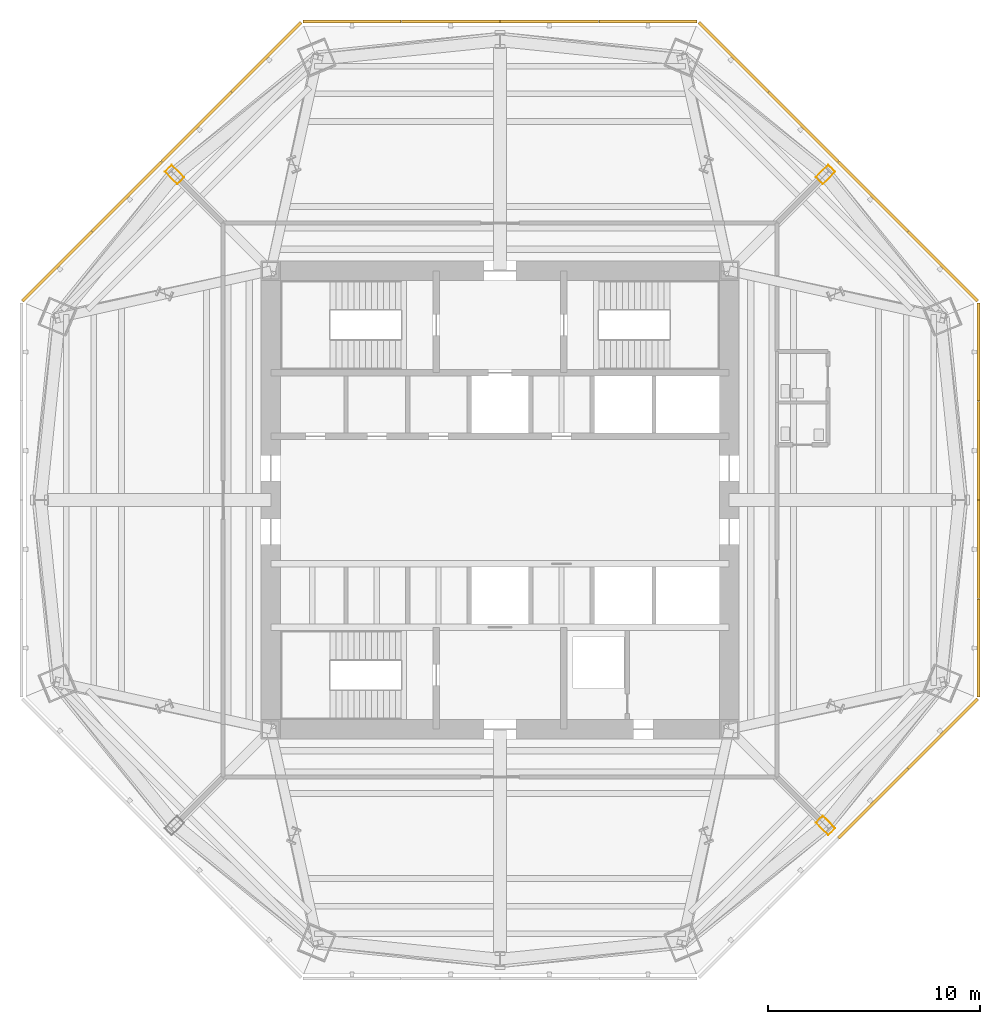
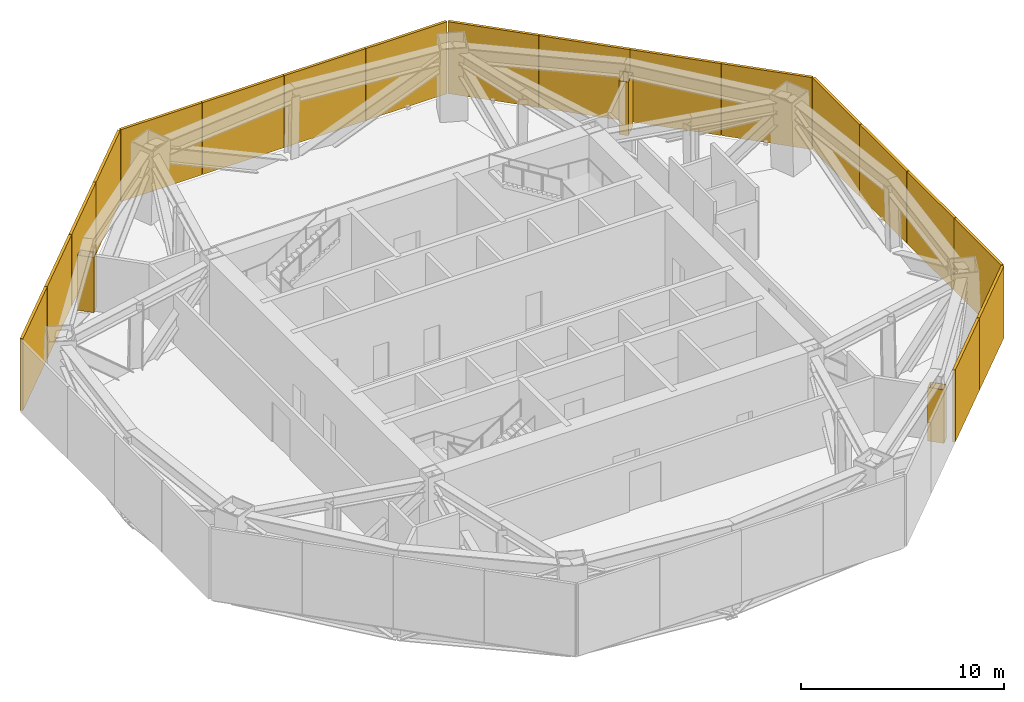
# One storey, part 9 of 10: 18 shading devices, 3 coverings.
"""IFC4 building model written with IfcOpenShell, lengths in metres."""

from ifc_helpers import new_model, si_unit, direction, frame, origin, origin_2d, place, context, subcontext, project, spatial, polyline, rectangle, outline, extrude, source, transform, mapped, material, layer, layer_set, type_object, type_shapes, element, save


model = new_model("IFC4")

# Units and contexts
model_context = context("Model", 3, precision=1e-05, world=origin(), true_north=direction((0.0, 1.0)))
body_context = subcontext(model_context, "Body", "Model", "MODEL_VIEW")
ifc_project = project(units=[si_unit("LENGTHUNIT", "METRE"), si_unit("AREAUNIT", "SQUARE_METRE"), si_unit("VOLUMEUNIT", "CUBIC_METRE"), si_unit("PLANEANGLEUNIT", "RADIAN"), si_unit("MASSUNIT", "GRAM", prefix="KILO")], contexts=[model_context])

# Site, building, storey
site_placement = place(None, origin())
site = spatial("IfcSite", under=ifc_project, at=site_placement, CompositionType="ELEMENT")
building_placement = place(site_placement, origin())
building = spatial("IfcBuilding", under=site, at=building_placement, Name="Mashrafa Tower", CompositionType="ELEMENT")
storey_placement = place(building_placement, frame((0.0, 0.0, 193.5)))
storey = spatial("IfcBuildingStorey", under=building, at=storey_placement, Name="L44", CompositionType="ELEMENT", Elevation=193.5)

# Coverings
ifc_material_1 = material(Name="Gypsum board")
ifc_layer_1 = layer(ifc_material_1, 0.014892578125)
ifc_layer_set_1 = layer_set([ifc_layer_1], Name="Column casing plasterboard 15")
covering_type = type_object("IfcCoveringType", Name="Column casing plasterboard 15", PredefinedType="CLADDING", material=ifc_layer_set_1)
covering_1_placement = place(storey_placement, origin())
element("IfcCovering", 1, at=covering_1_placement, inside=storey, type_object=covering_type, Name="Column casing L44-001", PredefinedType="CLADDING", context=body_context, shape_type="SweptSolid", body=[
    extrude(outline(polyline([(14.869140625, 15.20849609375), (15.461669921875, 15.801025390625), (15.801025390625, 15.461669921875), (15.20849609375, 14.869140625), (14.869140625, 15.20849609375)]), holes=[polyline([(15.77978515625, 15.461669921875), (15.461669921875, 15.77978515625), (14.890380859375, 15.20849609375), (15.20849609375, 14.890380859375), (15.77978515625, 15.461669921875)])]), origin(), (0.0, 0.0, 1.0), 3.22900390625),
])
covering_2_placement = place(storey_placement, origin())
element("IfcCovering", 2, at=covering_2_placement, inside=storey, type_object=covering_type, Name="Column casing L44-002", PredefinedType="CLADDING", context=body_context, shape_type="SweptSolid", body=[
    extrude(outline(polyline([(-15.801025390625, 15.461669921875), (-15.461669921875, 15.801025390625), (-14.869140625, 15.20849609375), (-15.20849609375, 14.869140625), (-15.801025390625, 15.461669921875)]), holes=[polyline([(-14.890380859375, 15.20849609375), (-15.461669921875, 15.77978515625), (-15.77978515625, 15.461669921875), (-15.20849609375, 14.890380859375), (-14.890380859375, 15.20849609375)])]), origin(), (0.0, 0.0, 1.0), 3.31298828125),
])
covering_3_placement = place(storey_placement, origin())
element("IfcCovering", 3, at=covering_3_placement, inside=storey, type_object=covering_type, Name="Column casing L44-004", PredefinedType="CLADDING", context=body_context, shape_type="SweptSolid", body=[
    extrude(outline(polyline([(14.869140625, -15.20849609375), (15.20849609375, -14.869140625), (15.801025390625, -15.461669921875), (15.461669921875, -15.801025390625), (14.869140625, -15.20849609375)]), holes=[polyline([(15.77978515625, -15.461669921875), (15.20849609375, -14.890380859375), (14.890380859375, -15.20849609375), (15.461669921875, -15.77978515625), (15.77978515625, -15.461669921875)])]), origin(), (0.0, 0.0, 1.0), 3.22900390625),
])

# Shading devices
ifc_material_2 = material(Name="Extruded aluminium weather louvre", Category="aluminium")
ifc_layer_2 = layer(ifc_material_2, 0.14990234375)
ifc_layer_set_2 = layer_set([ifc_layer_2], Name="Plant louvre screen 150")
shading_device_type = type_object("IfcShadingDeviceType", Name="Plant louvre screen 150", PredefinedType="SHUTTER", material=ifc_layer_set_2)
shared_shape = source(origin(), body_context, "Body", "SweptSolid", [
    extrude(rectangle(XDim=4.6279296875, YDim=0.14990234375, at=origin_2d()), origin(), (0.0, 0.0, 1.0), 4.330078125),
])
type_shapes(shading_device_type, [shared_shape])
for number, where, z_axis, x_axis, name in (
    (4, (22.540771484375, -6.9716796875, 0.0), (0.0, 0.0, 1.0), (0.0, 1.0, 0.0), "Plant louvre screen L44 east 1"),
    (5, (22.540771484375, -2.323974609375, 0.0), (0.0, 0.0, 1.0), (0.0, 1.0, 0.0), "Plant louvre screen L44 east 2"),
    (6, (22.540771484375, 2.323974609375, 0.0), (0.0, 0.0, 1.0), (0.0, 1.0, 0.0), "Plant louvre screen L44 east 3"),
    (7, (22.540771484375, 6.9716796875, 0.0), (0.0, 0.0, 1.0), (0.0, 1.0, 0.0), "Plant louvre screen L44 east 4"),
    (8, (20.86865234375, 11.009033203125, 0.0), (0.0, 0.0, 1.0), (-0.707106781187, 0.707106781187, 0.0), "Plant louvre screen L44 north-east 1"),
    (9, (17.58203125, 14.295654296875, 0.0), (0.0, 0.0, 1.0), (-0.707106781187, 0.707106781187, 0.0), "Plant louvre screen L44 north-east 2"),
    (10, (14.295654296875, 17.58203125, 0.0), (0.0, 0.0, 1.0), (-0.707106781187, 0.707106781187, 0.0), "Plant louvre screen L44 north-east 3"),
    (11, (11.009033203125, 20.86865234375, 0.0), (0.0, 0.0, 1.0), (-0.707106781187, 0.707106781187, 0.0), "Plant louvre screen L44 north-east 4"),
    (12, (6.9716796875, 22.540771484375, 0.0), (0.0, 0.0, 1.0), (-1.0, 0.0, 0.0), "Plant louvre screen L44 north 1"),
    (13, (2.323974609375, 22.540771484375, 0.0), (0.0, 0.0, 1.0), (-1.0, 0.0, 0.0), "Plant louvre screen L44 north 2"),
    (14, (-2.323974609375, 22.540771484375, 0.0), (0.0, 0.0, 1.0), (-1.0, 0.0, 0.0), "Plant louvre screen L44 north 3"),
    (15, (-6.9716796875, 22.540771484375, 0.0), (0.0, 0.0, 1.0), (-1.0, 0.0, 0.0), "Plant louvre screen L44 north 4"),
    (16, (-11.009033203125, 20.86865234375, 0.0), (0.0, 0.0, 1.0), (-0.707106781187, -0.707106781187, 0.0), "Plant louvre screen L44 north-west 1"),
    (17, (-14.295654296875, 17.58203125, 0.0), (0.0, 0.0, 1.0), (-0.707106781187, -0.707106781187, 0.0), "Plant louvre screen L44 north-west 2"),
    (18, (-17.58203125, 14.295654296875, 0.0), (0.0, 0.0, 1.0), (-0.707106781187, -0.707106781187, 0.0), "Plant louvre screen L44 north-west 3"),
    (19, (-20.86865234375, 11.009033203125, 0.0), (0.0, 0.0, 1.0), (-0.707106781187, -0.707106781187, 0.0), "Plant louvre screen L44 north-west 4"),
    (20, (17.58203125, -14.295654296875, 0.0), (0.0, 0.0, 1.0), (0.707106781187, 0.707106781187, 0.0), "Plant louvre screen L44 south-east 3"),
    (21, (20.86865234375, -11.009033203125, 0.0), (0.0, 0.0, 1.0), (0.707106781187, 0.707106781187, 0.0), "Plant louvre screen L44 south-east 4"),
):
    element("IfcShadingDevice", number, at=place(storey_placement, frame(where, z_axis=z_axis, x_axis=x_axis)), inside=storey, type_object=shading_device_type, Name=name, PredefinedType="SHUTTER", context=body_context, shape_type="MappedRepresentation", body=[
        mapped(shared_shape, transform((0.0, 0.0, 0.0))),
    ])

save(model, "model.ifc")
